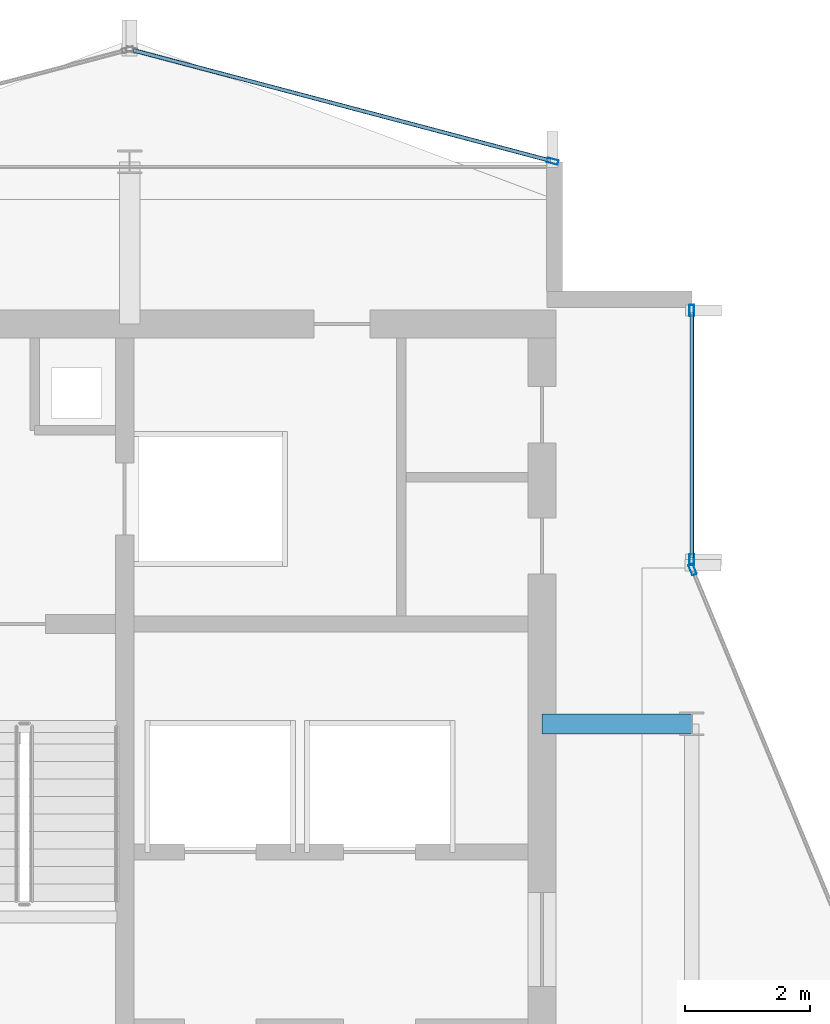
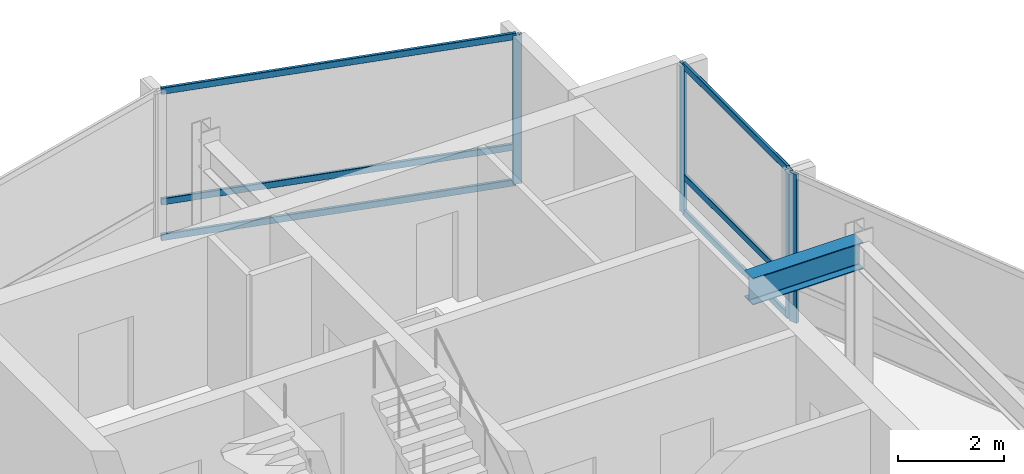
# One storey, part 12 of 19: 10 members, 1 beam, 3 elements without a shape of their own.
"""IFC4 building model written with IfcOpenShell, lengths in metres."""

from ifc_helpers import new_model, si_unit, direction, frame, origin, origin_2d, place, context, subcontext, project, spatial, hollow_rectangle, i_section, extrude, material, layer, layer_set, material_profile, profile_set, type_object, element, aggregate, save


model = new_model("IFC4")

# Units and contexts
model_context = context("Model", 3, precision=1e-05, world=origin(), true_north=direction((0.0, 1.0)))
body_context = subcontext(model_context, "Body", "Model", "MODEL_VIEW")
ifc_project = project(units=[si_unit("LENGTHUNIT", "METRE"), si_unit("AREAUNIT", "SQUARE_METRE"), si_unit("VOLUMEUNIT", "CUBIC_METRE"), si_unit("PLANEANGLEUNIT", "RADIAN"), si_unit("MASSUNIT", "GRAM", prefix="KILO")], contexts=[model_context])

# Site, building, storey
site_placement = place(None, origin())
site = spatial("IfcSite", under=ifc_project, at=site_placement, CompositionType="ELEMENT")
building_placement = place(site_placement, origin())
building = spatial("IfcBuilding", under=site, at=building_placement, Name="Solvaryn Broadcast Tower", CompositionType="ELEMENT")
storey_placement = place(building_placement, frame((0.0, 0.0, 266.699951171875)))
storey = spatial("IfcBuildingStorey", under=building, at=storey_placement, Name="L67", CompositionType="ELEMENT", Elevation=266.699951171875)

# Beam
ifc_material_1 = material(Name="Steel ASTM A992 Grade 50", Category="steel")
ifc_material_profile_1 = material_profile(ifc_material_1, i_section(OverallWidth=0.323974609375, OverallDepth=0.611083984375, WebThickness=0.0126953125, FlangeThickness=0.01904296875, FilletRadius=0.014892578125, at=origin_2d()))
ifc_profile_set_1 = profile_set([ifc_material_profile_1], Name="Steel ASTM A992 Grade 50")
beam_type = type_object("IfcBeamType", Name="BM-B1-W24X104", PredefinedType="BEAM", material=ifc_profile_set_1)
beam_placement = place(storey_placement, frame((24.60009765625, 36.0, 3.114501953125), z_axis=(1.0, 0.0, 0.0), x_axis=(0.0, 1.0, 0.0)))
element("IfcBeam", 1, at=beam_placement, inside=storey, type_object=beam_type, Name="L67 Core Tie Beam CTW2", PredefinedType="BEAM", context=body_context, shape_type="SweptSolid", body=[
    extrude(i_section(OverallWidth=0.323974609375, OverallDepth=0.611083984375, WebThickness=0.0126953125, FlangeThickness=0.01904296875, FilletRadius=0.014892578125, at=origin_2d()), origin(), (0.0, 0.0, 1.0), 2.39990234375),
])

# Curtain wall, members
ifc_material_2 = material(Name="Aluminium and Terracotta Unitised Curtain Wall", Category="masonry")
ifc_layer = layer(ifc_material_2, 0.199951171875)
ifc_layer_set = layer_set([ifc_layer], Name="CW-SYS2-LOWMID")
curtain_wall_type = type_object("IfcCurtainWallType", Name="CW-SYS2-LOWMID", PredefinedType="NOTDEFINED", material=ifc_layer_set)
curtain_wall_1_placement = place(storey_placement, origin())
curtain_wall_1 = element("IfcCurtainWall", 2, at=curtain_wall_1_placement, inside=storey, type_object=curtain_wall_type, Name="L67 Curtain Wall IV", PredefinedType="NOTDEFINED")
ifc_material_3 = material(Name="Anodised Aluminium 6063-T6", Category="aluminium")
ifc_material_profile_2 = material_profile(ifc_material_3, hollow_rectangle(XDim=0.074951171875, YDim=0.179931640625, WallThickness=0.00390625, InnerFilletRadius=0.00390625, OuterFilletRadius=0.008056640625, at=origin_2d()))
ifc_profile_set_2 = profile_set([ifc_material_profile_2], Name="Anodised Aluminium 6063-T6")
member_type_1 = type_object("IfcMemberType", Name="CW-MUL-180", PredefinedType="MULLION", material=ifc_profile_set_2)
member_1_placement = place(storey_placement, frame((27.0, 42.6201171875, 0.0), z_axis=(0.0, 0.0, 1.0), x_axis=(1.0, 0.0, 0.0)))
member_1 = element("IfcMember", 3, at=member_1_placement, type_object=member_type_1, Name="CWS2 mullion 1", PredefinedType="MULLION", context=body_context, shape_type="SweptSolid", body=[
    extrude(hollow_rectangle(XDim=0.074951171875, YDim=0.179931640625, WallThickness=0.00390625, InnerFilletRadius=0.00390625, OuterFilletRadius=0.008056640625, at=origin_2d()), origin(), (0.0, 0.0, 1.0), 3.420166015625),
])
member_2_placement = place(storey_placement, frame((27.0, 38.6298828125, 0.0), z_axis=(0.0, 0.0, 1.0), x_axis=(1.0, 0.0, 0.0)))
member_2 = element("IfcMember", 4, at=member_2_placement, type_object=member_type_1, Name="CWS2 mullion 2", PredefinedType="MULLION", context=body_context, shape_type="SweptSolid", body=[
    extrude(hollow_rectangle(XDim=0.074951171875, YDim=0.179931640625, WallThickness=0.00390625, InnerFilletRadius=0.00390625, OuterFilletRadius=0.008056640625, at=origin_2d()), origin(), (0.0, 0.0, 1.0), 3.420166015625),
])

# Curtain wall, member
curtain_wall_2_placement = place(storey_placement, origin())
curtain_wall_2 = element("IfcCurtainWall", 5, at=curtain_wall_2_placement, inside=storey, type_object=curtain_wall_type, Name="L67 Curtain Wall CN2", PredefinedType="NOTDEFINED")
member_3_placement = place(storey_placement, frame((27.011474609375, 38.47216796875, 0.0), z_axis=(0.0, 0.0, 1.0), x_axis=(-0.923894983957, -0.382646127145, 0.0)))
member_3 = element("IfcMember", 6, at=member_3_placement, type_object=member_type_1, Name="CWS2 mullion 2", PredefinedType="MULLION", context=body_context, shape_type="SweptSolid", body=[
    extrude(hollow_rectangle(XDim=0.074951171875, YDim=0.179931640625, WallThickness=0.00390625, InnerFilletRadius=0.00390625, OuterFilletRadius=0.008056640625, at=origin_2d()), origin(), (0.0, 0.0, 1.0), 3.420166015625),
])
aggregate(curtain_wall_2, [member_3])

curtain_wall_3_placement = place(storey_placement, origin())
curtain_wall_3 = element("IfcCurtainWall", 7, at=curtain_wall_3_placement, inside=storey, type_object=curtain_wall_type, Name="L67 Curtain Wall NT1", PredefinedType="NOTDEFINED")
member_4_placement = place(storey_placement, frame((24.77099609375, 45.007568359375, 0.0), z_axis=(0.0, 0.0, 1.0), x_axis=(-0.25589256031, -0.966705227863, 0.0)))
member_4 = element("IfcMember", 8, at=member_4_placement, type_object=member_type_1, Name="CWS2 mullion 1", PredefinedType="MULLION", context=body_context, shape_type="SweptSolid", body=[
    extrude(hollow_rectangle(XDim=0.074951171875, YDim=0.179931640625, WallThickness=0.00390625, InnerFilletRadius=0.00390625, OuterFilletRadius=0.008056640625, at=origin_2d()), origin(), (0.0, 0.0, 1.0), 3.420166015625),
])

# Member
ifc_material_4 = material(Name="Anodised Aluminium 6063-T6", Category="aluminium")
ifc_material_profile_3 = material_profile(ifc_material_4, hollow_rectangle(XDim=0.06494140625, YDim=0.14990234375, WallThickness=0.00390625, InnerFilletRadius=0.00390625, OuterFilletRadius=0.008056640625, at=origin_2d()))
ifc_profile_set_3 = profile_set([ifc_material_profile_3], Name="Anodised Aluminium 6063-T6")
member_type_2 = type_object("IfcMemberType", Name="CW-TRN-150", PredefinedType="USERDEFINED", material=ifc_profile_set_3)
member_5_placement = place(storey_placement, frame((27.0, 42.590087890625, 0.030029296875), z_axis=(0.0, -1.0, 0.0), x_axis=(1.0, 0.0, 0.0)))
member_5 = element("IfcMember", 9, at=member_5_placement, type_object=member_type_2, Name="CWS2 transom 1.1", ObjectType="TRANSOM", PredefinedType="USERDEFINED", context=body_context, shape_type="SweptSolid", body=[
    extrude(hollow_rectangle(XDim=0.06494140625, YDim=0.14990234375, WallThickness=0.00390625, InnerFilletRadius=0.00390625, OuterFilletRadius=0.008056640625, at=origin_2d()), origin(), (0.0, 0.0, 1.0), 3.93017578125),
])

member_6_placement = place(storey_placement, frame((27.0, 42.590087890625, 0.85009765625), z_axis=(0.0, -1.0, 0.0), x_axis=(1.0, 0.0, 0.0)))
member_6 = element("IfcMember", 10, at=member_6_placement, type_object=member_type_2, Name="CWS2 transom 1.2", ObjectType="TRANSOM", PredefinedType="USERDEFINED", context=body_context, shape_type="SweptSolid", body=[
    extrude(hollow_rectangle(XDim=0.06494140625, YDim=0.14990234375, WallThickness=0.00390625, InnerFilletRadius=0.00390625, OuterFilletRadius=0.008056640625, at=origin_2d()), origin(), (0.0, 0.0, 1.0), 3.93017578125),
])

member_7_placement = place(storey_placement, frame((27.0, 42.590087890625, 3.39013671875), z_axis=(0.0, -1.0, 0.0), x_axis=(1.0, 0.0, 0.0)))
member_7 = element("IfcMember", 11, at=member_7_placement, type_object=member_type_2, Name="CWS2 transom 1.3", ObjectType="TRANSOM", PredefinedType="USERDEFINED", context=body_context, shape_type="SweptSolid", body=[
    extrude(hollow_rectangle(XDim=0.06494140625, YDim=0.14990234375, WallThickness=0.00390625, InnerFilletRadius=0.00390625, OuterFilletRadius=0.008056640625, at=origin_2d()), origin(), (0.0, 0.0, 1.0), 3.93017578125),
])

aggregate(curtain_wall_1, [member_1, member_2, member_5, member_6, member_7])

member_8_placement = place(storey_placement, frame((24.741943359375, 45.015380859375, 0.030029296875), z_axis=(-0.966703943301, 0.255897413051, 0.0), x_axis=(-0.255897413051, -0.966703943301, 0.0)))
member_8 = element("IfcMember", 12, at=member_8_placement, type_object=member_type_2, Name="CWS2 transom 1.1", ObjectType="TRANSOM", PredefinedType="USERDEFINED", context=body_context, shape_type="SweptSolid", body=[
    extrude(hollow_rectangle(XDim=0.06494140625, YDim=0.14990234375, WallThickness=0.00390625, InnerFilletRadius=0.00390625, OuterFilletRadius=0.008056640625, at=origin_2d()), origin(), (0.0, 0.0, 1.0), 6.9140625),
])

member_9_placement = place(storey_placement, frame((24.741943359375, 45.015380859375, 0.85009765625), z_axis=(-0.966703943301, 0.255897413051, 0.0), x_axis=(-0.255897413051, -0.966703943301, 0.0)))
member_9 = element("IfcMember", 13, at=member_9_placement, type_object=member_type_2, Name="CWS2 transom 1.2", ObjectType="TRANSOM", PredefinedType="USERDEFINED", context=body_context, shape_type="SweptSolid", body=[
    extrude(hollow_rectangle(XDim=0.06494140625, YDim=0.14990234375, WallThickness=0.00390625, InnerFilletRadius=0.00390625, OuterFilletRadius=0.008056640625, at=origin_2d()), origin(), (0.0, 0.0, 1.0), 6.9140625),
])

member_10_placement = place(storey_placement, frame((24.741943359375, 45.015380859375, 3.39013671875), z_axis=(-0.966703943301, 0.255897413051, 0.0), x_axis=(-0.255897413051, -0.966703943301, 0.0)))
member_10 = element("IfcMember", 14, at=member_10_placement, type_object=member_type_2, Name="CWS2 transom 1.3", ObjectType="TRANSOM", PredefinedType="USERDEFINED", context=body_context, shape_type="SweptSolid", body=[
    extrude(hollow_rectangle(XDim=0.06494140625, YDim=0.14990234375, WallThickness=0.00390625, InnerFilletRadius=0.00390625, OuterFilletRadius=0.008056640625, at=origin_2d()), origin(), (0.0, 0.0, 1.0), 6.9140625),
])

aggregate(curtain_wall_3, [member_4, member_8, member_9, member_10])

save(model, "model.ifc")
